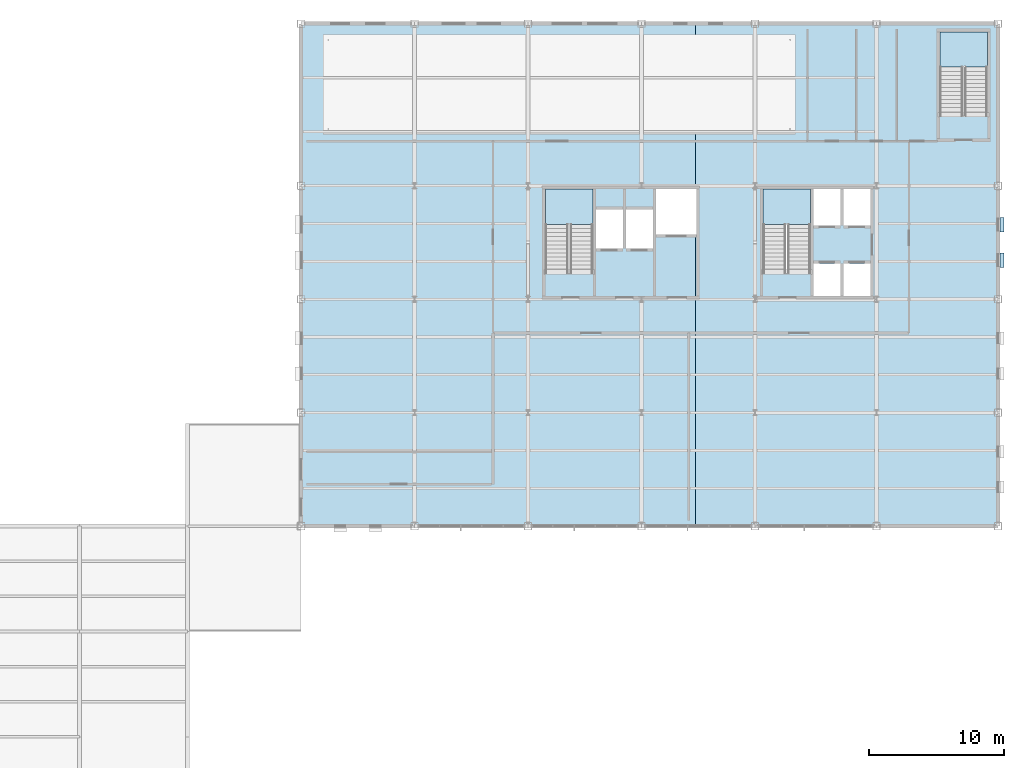
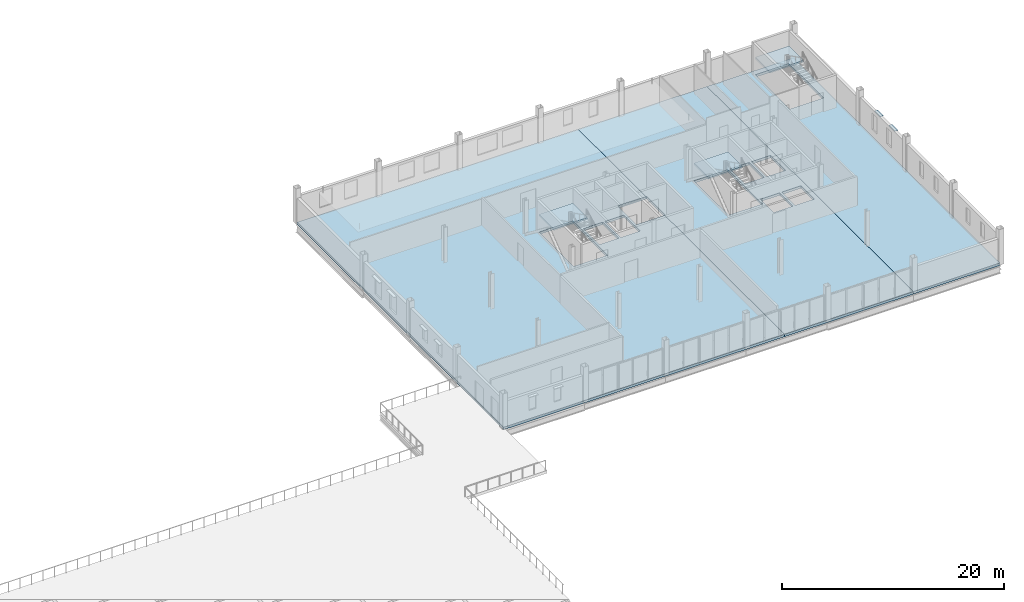
# One storey, part 46 of 77: 6 slabs, 2 plates, 3 elements without a shape of their own.
"""IFC4 building model written with IfcOpenShell, lengths in metres."""

import ifcopenshell
import ifcopenshell.guid

model = None  # the IFC model being written
_history = None  # IfcOwnerHistory: only IFC2X3 demands one
_inside = {}  # id of a spatial element -> (the spatial element, [elements in it])
_under = {}  # id of a project, library or spatial element -> (it, [spatial elements below it])
_declared = {}  # id of a project -> (the project, [libraries it declares])
_typed = {}  # id of a type object -> (the type object, [elements of that type])
_made_of = {}  # id of a material, layer set ... -> (it, [elements and type objects made of it])


def new_model(schema):
    """Start an empty IFC model of exactly this schema.

    Asked for "IFC4X3", IfcOpenShell would pick the latest addendum, in which some entities
    have other attributes; the version numbers below select the first issue.
    IFC2X3 requires an IfcOwnerHistory on every rooted entity: one is made here for all.
    """
    global model, _history
    if schema == "IFC4X3":
        model = ifcopenshell.file(schema_version=(4, 3, 0, 0))
    else:
        model = ifcopenshell.file(schema=schema)
    _inside.clear()
    _under.clear()
    _declared.clear()
    _typed.clear()
    _made_of.clear()
    _history = None
    if model.schema == "IFC2X3":
        org = make("IfcOrganization", Name="unknown")
        user = make(
            "IfcPersonAndOrganization",
            ThePerson=make("IfcPerson", FamilyName="unknown"),
            TheOrganization=org,
        )
        app = make(
            "IfcApplication",
            ApplicationDeveloper=org,
            Version="unknown",
            ApplicationFullName="unknown",
            ApplicationIdentifier="unknown",
        )
        _history = make(
            "IfcOwnerHistory",
            OwningUser=user,
            OwningApplication=app,
            ChangeAction="ADDED",
            CreationDate=0,
        )
    return model


def make(cls, **values):
    """One entity of the class cls with the attributes given. An attribute that is None is left unset."""
    return model.create_entity(
        cls, **{name: value for name, value in values.items() if value is not None}
    )


def rooted(cls, **values):
    """An entity with a GlobalId (a new one), such as an element, a storey or a relation."""
    return make(cls, GlobalId=ifcopenshell.guid.new(), OwnerHistory=_history, **values)


def si_unit(unit_type, name, prefix=None):
    """IfcSIUnit, for example si_unit("LENGTHUNIT", "METRE", prefix="MILLI")."""
    return make("IfcSIUnit", UnitType=unit_type, Prefix=prefix, Name=name)


def assignment(units):
    """IfcUnitAssignment: the units of a project."""
    return None if units is None else make("IfcUnitAssignment", Units=units)


def point(xyz):
    """IfcCartesianPoint."""
    return None if xyz is None else make("IfcCartesianPoint", Coordinates=xyz)


def direction(xyz):
    """IfcDirection."""
    return None if xyz is None else make("IfcDirection", DirectionRatios=xyz)


def frame(location, z_axis=None, x_axis=None):
    """IfcAxis2Placement3D, a coordinate frame: its origin and axes. An axis left out is left unset."""
    return make(
        "IfcAxis2Placement3D",
        Location=point(location),
        Axis=direction(z_axis),
        RefDirection=direction(x_axis),
    )


def frame_2d(location, x_axis=None):
    """IfcAxis2Placement2D, a coordinate frame in the plane: its origin and x axis."""
    return make(
        "IfcAxis2Placement2D", Location=point(location), RefDirection=direction(x_axis)
    )


def origin():
    """The frame at (0, 0, 0) with its axes left unset."""
    return frame((0.0, 0.0, 0.0))


def origin_2d():
    """The frame at (0, 0) in the plane with its x axis left unset."""
    return frame_2d((0.0, 0.0))


def place(relative_to, where):
    """IfcLocalPlacement: puts the frame where relative to a parent placement (None: the world)."""
    return make(
        "IfcLocalPlacement", PlacementRelTo=relative_to, RelativePlacement=where
    )


def context(
    kind, dimensions, precision=None, world=None, true_north=None, identifier=None
):
    """IfcGeometricRepresentationContext, for example the 3D "Model" context."""
    return make(
        "IfcGeometricRepresentationContext",
        ContextIdentifier=identifier,
        ContextType=kind,
        CoordinateSpaceDimension=dimensions,
        Precision=precision,
        WorldCoordinateSystem=world,
        TrueNorth=true_north,
    )


def subcontext(parent, identifier, kind, view, scale=None):
    """IfcGeometricRepresentationSubContext, for example "Body" below "Model"."""
    return make(
        "IfcGeometricRepresentationSubContext",
        ContextIdentifier=identifier,
        ContextType=kind,
        ParentContext=parent,
        TargetScale=scale,
        TargetView=view,
    )


def project(units=None, contexts=None):
    """IfcProject with its units and contexts."""
    return rooted(
        "IfcProject",
        Name="project",
        RepresentationContexts=contexts,
        UnitsInContext=assignment(units),
    )


def spatial(cls, under=None, at=None, **own):
    """A site, building, storey or space (cls), placed at a placement, below another one or the project."""
    s = rooted(cls, ObjectPlacement=at, **own)
    if under is not None:
        _under.setdefault(under.id(), (under, []))[1].append(s)
    return s


def polyline(points):
    """IfcPolyline through the points."""
    return make("IfcPolyline", Points=[point(p) for p in points])


def profile(cls, at=None, kind="AREA", **sizes):
    """A parametric profile (cls). Its sizes go by their IFC names, for example OverallWidth=200.0."""
    return make(cls, ProfileType=kind, Position=at, **sizes)


def rectangle(**sizes):
    """IfcRectangleProfileDef."""
    return profile("IfcRectangleProfileDef", **sizes)


def outline(outer, holes=None, kind="AREA"):
    """IfcArbitraryClosedProfileDef: a profile drawn as a closed curve; with holes, ...WithVoids."""
    if holes is None:
        return make("IfcArbitraryClosedProfileDef", ProfileType=kind, OuterCurve=outer)
    return make(
        "IfcArbitraryProfileDefWithVoids",
        ProfileType=kind,
        OuterCurve=outer,
        InnerCurves=holes,
    )


def extrude(swept, where, along, depth):
    """IfcExtrudedAreaSolid: the profile swept, set in the frame where, extruded along a direction by depth."""
    return make(
        "IfcExtrudedAreaSolid",
        SweptArea=swept,
        Position=where,
        ExtrudedDirection=direction(along),
        Depth=depth,
    )


def shape(context_of_items, identifier, shape_type, items):
    """IfcShapeRepresentation: the items that make up one representation, for example the "Body"."""
    return make(
        "IfcShapeRepresentation",
        ContextOfItems=context_of_items,
        RepresentationIdentifier=identifier,
        RepresentationType=shape_type,
        Items=items,
    )


def material(Name=None, Category=None):
    """IfcMaterial."""
    return make("IfcMaterial", Name=Name, Category=Category)


def layer(
    of_material, thickness, ventilated=None, Name=None, Category=None, Priority=None
):
    """IfcMaterialLayer: one layer of a wall or slab, of a material (None: an air gap)."""
    return make(
        "IfcMaterialLayer",
        Material=of_material,
        LayerThickness=thickness,
        IsVentilated=ventilated,
        Name=Name,
        Category=Category,
        Priority=Priority,
    )


def layer_set(layers, Name=None):
    """IfcMaterialLayerSet."""
    return make("IfcMaterialLayerSet", MaterialLayers=layers, LayerSetName=Name)


def made_of(thing, what):
    """Note that an element or type object is made of a material, layer set ...; save() writes the relation."""
    if what is not None:
        _made_of.setdefault(what.id(), (what, []))[1].append(thing)
    return thing


def type_object(cls, material=None, **own):
    """A type object (cls), such as IfcWallType, which elements share."""
    return made_of(rooted(cls, **own), material)


def element(
    cls,
    number,
    at=None,
    inside=None,
    cuts=None,
    type_object=None,
    material=None,
    context=None,
    identifier="Body",
    shape_type=None,
    held_by="IfcProductDefinitionShape",
    body=None,
    shapes=None,
    **own,
):
    """One element of the class cls, such as IfcWall. Its Tag is "e" and its number.

    at: its placement. inside: the storey or other place that contains it. cuts: it is an
    opening in that element (IfcRelVoidsElement). A single representation is given by context,
    identifier, shape_type and body (its items); several are given by shapes. held_by: the class
    of the entity that holds the representations. save() writes the other relations.
    """
    e = rooted(cls, Tag="e%d" % number, ObjectPlacement=at, **own)
    if body is not None:
        shapes = [shape(context, identifier, shape_type, body)]
    if shapes is not None:
        e.Representation = make(held_by, Representations=shapes)
    if inside is not None:
        _inside.setdefault(inside.id(), (inside, []))[1].append(e)
    if cuts is not None:
        rooted(
            "IfcRelVoidsElement", RelatingBuildingElement=cuts, RelatedOpeningElement=e
        )
    if type_object is not None:
        _typed.setdefault(type_object.id(), (type_object, []))[1].append(e)
    return made_of(e, material)


def aggregate(whole, parts):
    """IfcRelAggregates: a whole, such as a stair, and the parts it consists of."""
    return rooted("IfcRelAggregates", RelatingObject=whole, RelatedObjects=parts)


def save(model, path):
    """Write the relations noted so far, then the file.

    IfcRelAggregates (storeys below a building ...), IfcRelContainedInSpatialStructure (elements
    in a storey), IfcRelDefinesByType, IfcRelAssociatesMaterial and IfcRelDeclares: one each for
    every whole, place, type object, material and project.
    """
    for whole, parts in _under.values():
        aggregate(whole, parts)
    for where, things in _inside.values():
        rooted(
            "IfcRelContainedInSpatialStructure",
            RelatedElements=things,
            RelatingStructure=where,
        )
    for kind, things in _typed.values():
        rooted("IfcRelDefinesByType", RelatedObjects=things, RelatingType=kind)
    for what, things in _made_of.values():
        rooted("IfcRelAssociatesMaterial", RelatedObjects=things, RelatingMaterial=what)
    for by, libraries in _declared.values():
        rooted("IfcRelDeclares", RelatingContext=by, RelatedDefinitions=libraries)
    model.write(path)


model = new_model("IFC4")

# Units and contexts
model_context = context("Model", 3, precision=1e-05, world=origin(), true_north=direction((0.0, 1.0)))
body_context = subcontext(model_context, "Body", "Model", "MODEL_VIEW")
ifc_project = project(units=[si_unit("LENGTHUNIT", "METRE"), si_unit("AREAUNIT", "SQUARE_METRE"), si_unit("VOLUMEUNIT", "CUBIC_METRE"), si_unit("PLANEANGLEUNIT", "RADIAN"), si_unit("MASSUNIT", "GRAM", prefix="KILO")], contexts=[model_context])

# Site, building, storey
site_placement = place(None, origin())
site = spatial("IfcSite", under=ifc_project, at=site_placement, CompositionType="ELEMENT")
building_placement = place(site_placement, origin())
building = spatial("IfcBuilding", under=site, at=building_placement, Name="Yukiwa Park Conservatory and Herbarium", CompositionType="ELEMENT")
storey_placement = place(building_placement, frame((0.0, 0.0, 13.199951171875)))
storey = spatial("IfcBuildingStorey", under=building, at=storey_placement, Name="L03", CompositionType="ELEMENT", Elevation=13.199951171875)

# Plates
ifc_material_1 = material(Name="Anodised Aluminium", Category="aluminium")
ifc_layer_1 = layer(ifc_material_1, 0.0400390625)
ifc_layer_set_1 = layer_set([ifc_layer_1], Name="Anodised Aluminium")
plate_type = type_object("IfcPlateType", Name="PL-SHADE-ALU-40", PredefinedType="SHEET", material=ifc_layer_set_1)
for number, where, z_axis, x_axis, name in (
    (1, (168.2900390625, 97.69189453125, 2.7900390625), (0.0, 0.0, 1.0), (0.0, 1.0, 0.0), "L03 snow-shedding window hood 124"),
    (2, (168.2900390625, 100.30810546875, 2.7900390625), (0.0, 0.0, 1.0), (0.0, 1.0, 0.0), "L03 snow-shedding window hood 125"),
):
    element("IfcPlate", number, at=place(storey_placement, frame(where, z_axis=z_axis, x_axis=x_axis)), inside=storey, type_object=plate_type, Name=name, PredefinedType="SHEET", context=body_context, shape_type="SweptSolid", body=[
        extrude(rectangle(XDim=1.06005859375, YDim=0.300048828125, at=origin_2d()), origin(), (0.0, 0.0, 1.0), 0.0400390625),
    ])

# Slabs
ifc_material_2 = material(Name="Concrete C40", Category="concrete")
ifc_layer_2 = layer(ifc_material_2, 0.264892578125)
ifc_layer_set_2 = layer_set([ifc_layer_2], Name="Concrete C40")
slab_type_1 = type_object("IfcSlabType", Name="SL-FLR-265", PredefinedType="FLOOR", material=ifc_layer_set_2)
slab_1_placement = place(storey_placement, frame((0.0, 0.0, -0.264892578125)))
element("IfcSlab", 3, at=slab_1_placement, inside=storey, type_object=slab_type_1, Name="L03 composite structural floor slab V5W", PredefinedType="FLOOR", context=body_context, shape_type="SweptSolid", body=[
    extrude(outline(polyline([(116.39990234375, 115.199951171875), (145.60009765625, 115.199951171875), (145.60009765625, 102.949951171875), (142.659912109375, 102.949951171875), (142.659912109375, 99.60009765625), (145.60009765625, 99.60009765625), (145.60009765625, 78.0), (116.39990234375, 78.0), (116.39990234375, 115.199951171875)]), holes=[polyline([(138.0, 102.949951171875), (134.489990234375, 102.949951171875), (134.489990234375, 96.72998046875), (138.0, 96.72998046875), (138.0, 102.949951171875)]), polyline([(138.219970703125, 101.43994140625), (138.219970703125, 98.5400390625), (140.219970703125, 98.5400390625), (140.219970703125, 101.43994140625), (138.219970703125, 101.43994140625)]), polyline([(142.43994140625, 101.43994140625), (140.43994140625, 101.43994140625), (140.43994140625, 98.5400390625), (142.43994140625, 98.5400390625), (142.43994140625, 101.43994140625)])]), origin(), (0.0, 0.0, 1.0), 0.264892578125),
])
slab_2_placement = place(storey_placement, frame((0.0, 0.0, -0.264892578125)))
element("IfcSlab", 4, at=slab_2_placement, inside=storey, type_object=slab_type_1, Name="L03 composite structural floor slab V5C", PredefinedType="FLOOR", context=body_context, shape_type="SweptSolid", body=[
    extrude(outline(polyline([(145.60009765625, 99.60009765625), (145.659912109375, 99.60009765625), (145.659912109375, 102.949951171875), (145.60009765625, 102.949951171875), (145.60009765625, 115.199951171875), (159.0, 115.199951171875), (159.0, 78.0), (145.60009765625, 78.0), (145.60009765625, 99.60009765625)]), holes=[polyline([(154.330078125, 97.449951171875), (154.330078125, 95.050048828125), (156.330078125, 95.050048828125), (156.330078125, 97.449951171875), (154.330078125, 97.449951171875)]), polyline([(158.550048828125, 97.449951171875), (156.550048828125, 97.449951171875), (156.550048828125, 95.050048828125), (158.550048828125, 95.050048828125), (158.550048828125, 97.449951171875)]), polyline([(154.110107421875, 102.949951171875), (150.60009765625, 102.949951171875), (150.60009765625, 96.72998046875), (154.110107421875, 96.72998046875), (154.110107421875, 102.949951171875)]), polyline([(154.330078125, 102.949951171875), (154.330078125, 100.25), (156.330078125, 100.25), (156.330078125, 102.949951171875), (154.330078125, 102.949951171875)]), polyline([(158.550048828125, 102.949951171875), (156.550048828125, 102.949951171875), (156.550048828125, 100.25), (158.550048828125, 100.25), (158.550048828125, 102.949951171875)])]), origin(), (0.0, 0.0, 1.0), 0.264892578125),
])
slab_3_placement = place(storey_placement, frame((0.0, 0.0, -0.264892578125)))
element("IfcSlab", 5, at=slab_3_placement, inside=storey, type_object=slab_type_1, Name="L03 composite structural floor slab V5E", PredefinedType="FLOOR", context=body_context, shape_type="SweptSolid", body=[
    extrude(outline(polyline([(168.0, 78.0), (159.0, 78.0), (159.0, 115.199951171875), (168.0, 115.199951171875), (168.0, 78.0)]), holes=[polyline([(167.199951171875, 114.60009765625), (163.68994140625, 114.60009765625), (163.68994140625, 108.3798828125), (167.199951171875, 108.3798828125), (167.199951171875, 114.60009765625)])]), origin(), (0.0, 0.0, 1.0), 0.264892578125),
])

# Stair, slab
ifc_material_3 = material(Name="Concrete C40", Category="concrete")
stair_type_1 = type_object("IfcStairType", Name="ST-DOGLEG-ST-T1", PredefinedType="HALF_TURN_STAIR", material=ifc_material_3)
stair_1_placement = place(storey_placement, origin())
stair_1 = element("IfcStair", 6, at=stair_1_placement, inside=storey, type_object=stair_type_1, Name="L03 Protected Smoke-Proof Stair ST-T1", PredefinedType="HALF_TURN_STAIR")
ifc_material_4 = material(Name="Concrete C40", Category="concrete")
ifc_layer_3 = layer(ifc_material_4, 0.199951171875)
ifc_layer_set_3 = layer_set([ifc_layer_3], Name="Concrete C40")
slab_type_2 = type_object("IfcSlabType", Name="SL-LANDING-220", PredefinedType="LANDING", material=ifc_layer_set_3)
slab_4_placement = place(storey_placement, frame((0.0, 0.0, 1.75)))
slab_4 = element("IfcSlab", 7, at=slab_4_placement, type_object=slab_type_2, Name="ST-T1 landing 1", PredefinedType="LANDING", context=body_context, shape_type="SweptSolid", body=[
    extrude(outline(polyline([(138.0, 100.330078125), (138.0, 102.949951171875), (134.489990234375, 102.949951171875), (134.489990234375, 100.330078125), (138.0, 100.330078125)])), origin(), (0.0, 0.0, 1.0), 0.199951171875),
])
aggregate(stair_1, [slab_4])

ifc_material_5 = material(Name="Concrete C40", Category="concrete")
stair_type_2 = type_object("IfcStairType", Name="ST-DOGLEG-ST-T2", PredefinedType="HALF_TURN_STAIR", material=ifc_material_5)
stair_2_placement = place(storey_placement, origin())
stair_2 = element("IfcStair", 8, at=stair_2_placement, inside=storey, type_object=stair_type_2, Name="L03 Protected Smoke-Proof Stair ST-T2", PredefinedType="HALF_TURN_STAIR")
slab_5_placement = place(storey_placement, frame((0.0, 0.0, 1.75)))
slab_5 = element("IfcSlab", 9, at=slab_5_placement, type_object=slab_type_2, Name="ST-T2 landing 1", PredefinedType="LANDING", context=body_context, shape_type="SweptSolid", body=[
    extrude(outline(polyline([(154.110107421875, 100.330078125), (154.110107421875, 102.949951171875), (150.60009765625, 102.949951171875), (150.60009765625, 100.330078125), (154.110107421875, 100.330078125)])), origin(), (0.0, 0.0, 1.0), 0.199951171875),
])
aggregate(stair_2, [slab_5])

ifc_material_6 = material(Name="Concrete C40", Category="concrete")
stair_type_3 = type_object("IfcStairType", Name="ST-DOGLEG-ST-T3", PredefinedType="HALF_TURN_STAIR", material=ifc_material_6)
stair_3_placement = place(storey_placement, origin())
stair_3 = element("IfcStair", 10, at=stair_3_placement, inside=storey, type_object=stair_type_3, Name="L03 Protected Smoke-Proof Stair ST-T3", PredefinedType="HALF_TURN_STAIR")
slab_6_placement = place(storey_placement, frame((0.0, 0.0, 1.75)))
slab_6 = element("IfcSlab", 11, at=slab_6_placement, type_object=slab_type_2, Name="ST-T3 landing 1", PredefinedType="LANDING", context=body_context, shape_type="SweptSolid", body=[
    extrude(outline(polyline([(167.199951171875, 111.97998046875), (167.199951171875, 114.60009765625), (163.68994140625, 114.60009765625), (163.68994140625, 111.97998046875), (167.199951171875, 111.97998046875)])), origin(), (0.0, 0.0, 1.0), 0.199951171875),
])
aggregate(stair_3, [slab_6])

save(model, "model.ifc")
